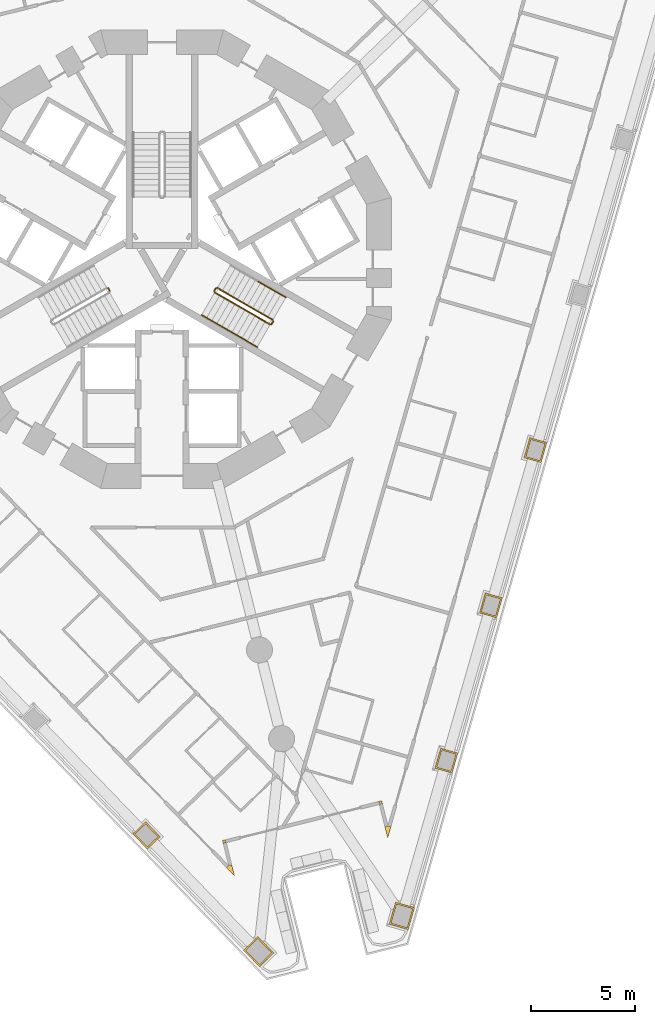
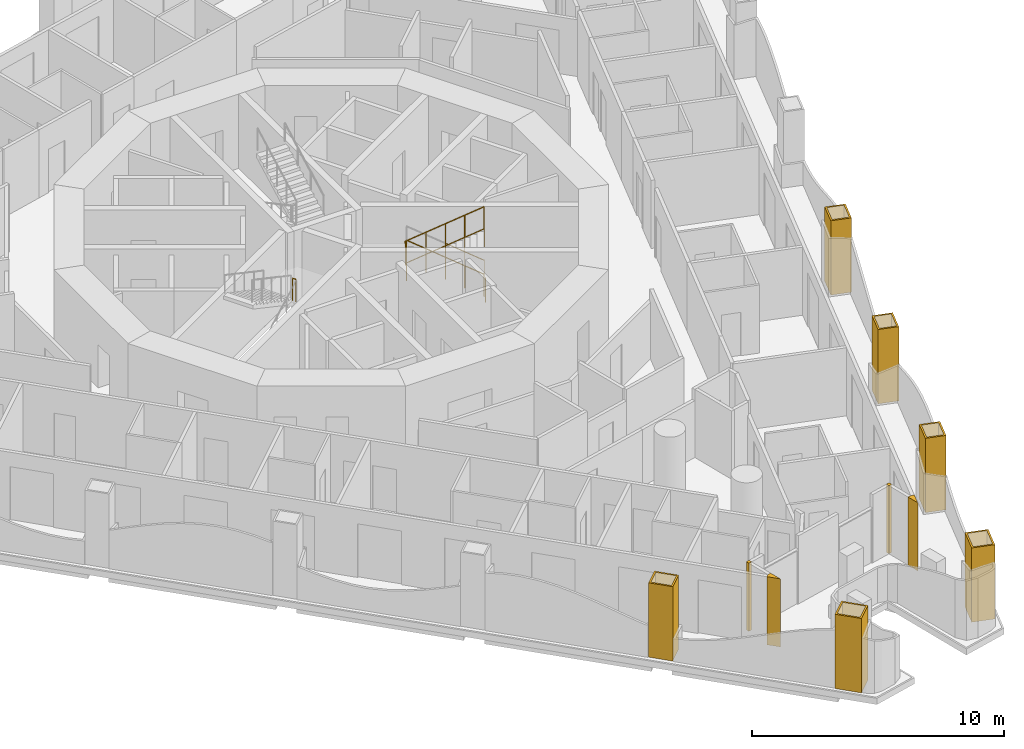
# One storey, part 15 of 20: 10 coverings, 8 railings.
"""IFC4 building model written with IfcOpenShell, lengths in metres."""

import ifcopenshell
import ifcopenshell.guid

model = None  # the IFC model being written
_history = None  # IfcOwnerHistory: only IFC2X3 demands one
_inside = {}  # id of a spatial element -> (the spatial element, [elements in it])
_under = {}  # id of a project, library or spatial element -> (it, [spatial elements below it])
_declared = {}  # id of a project -> (the project, [libraries it declares])
_typed = {}  # id of a type object -> (the type object, [elements of that type])
_made_of = {}  # id of a material, layer set ... -> (it, [elements and type objects made of it])


def new_model(schema):
    """Start an empty IFC model of exactly this schema.

    Asked for "IFC4X3", IfcOpenShell would pick the latest addendum, in which some entities
    have other attributes; the version numbers below select the first issue.
    IFC2X3 requires an IfcOwnerHistory on every rooted entity: one is made here for all.
    """
    global model, _history
    if schema == "IFC4X3":
        model = ifcopenshell.file(schema_version=(4, 3, 0, 0))
    else:
        model = ifcopenshell.file(schema=schema)
    _inside.clear()
    _under.clear()
    _declared.clear()
    _typed.clear()
    _made_of.clear()
    _history = None
    if model.schema == "IFC2X3":
        org = make("IfcOrganization", Name="unknown")
        user = make(
            "IfcPersonAndOrganization",
            ThePerson=make("IfcPerson", FamilyName="unknown"),
            TheOrganization=org,
        )
        app = make(
            "IfcApplication",
            ApplicationDeveloper=org,
            Version="unknown",
            ApplicationFullName="unknown",
            ApplicationIdentifier="unknown",
        )
        _history = make(
            "IfcOwnerHistory",
            OwningUser=user,
            OwningApplication=app,
            ChangeAction="ADDED",
            CreationDate=0,
        )
    return model


def make(cls, **values):
    """One entity of the class cls with the attributes given. An attribute that is None is left unset."""
    return model.create_entity(
        cls, **{name: value for name, value in values.items() if value is not None}
    )


def rooted(cls, **values):
    """An entity with a GlobalId (a new one), such as an element, a storey or a relation."""
    return make(cls, GlobalId=ifcopenshell.guid.new(), OwnerHistory=_history, **values)


def si_unit(unit_type, name, prefix=None):
    """IfcSIUnit, for example si_unit("LENGTHUNIT", "METRE", prefix="MILLI")."""
    return make("IfcSIUnit", UnitType=unit_type, Prefix=prefix, Name=name)


def assignment(units):
    """IfcUnitAssignment: the units of a project."""
    return None if units is None else make("IfcUnitAssignment", Units=units)


def point(xyz):
    """IfcCartesianPoint."""
    return None if xyz is None else make("IfcCartesianPoint", Coordinates=xyz)


def direction(xyz):
    """IfcDirection."""
    return None if xyz is None else make("IfcDirection", DirectionRatios=xyz)


def frame(location, z_axis=None, x_axis=None):
    """IfcAxis2Placement3D, a coordinate frame: its origin and axes. An axis left out is left unset."""
    return make(
        "IfcAxis2Placement3D",
        Location=point(location),
        Axis=direction(z_axis),
        RefDirection=direction(x_axis),
    )


def frame_2d(location, x_axis=None):
    """IfcAxis2Placement2D, a coordinate frame in the plane: its origin and x axis."""
    return make(
        "IfcAxis2Placement2D", Location=point(location), RefDirection=direction(x_axis)
    )


def origin():
    """The frame at (0, 0, 0) with its axes left unset."""
    return frame((0.0, 0.0, 0.0))


def origin_2d():
    """The frame at (0, 0) in the plane with its x axis left unset."""
    return frame_2d((0.0, 0.0))


def place(relative_to, where):
    """IfcLocalPlacement: puts the frame where relative to a parent placement (None: the world)."""
    return make(
        "IfcLocalPlacement", PlacementRelTo=relative_to, RelativePlacement=where
    )


def context(
    kind, dimensions, precision=None, world=None, true_north=None, identifier=None
):
    """IfcGeometricRepresentationContext, for example the 3D "Model" context."""
    return make(
        "IfcGeometricRepresentationContext",
        ContextIdentifier=identifier,
        ContextType=kind,
        CoordinateSpaceDimension=dimensions,
        Precision=precision,
        WorldCoordinateSystem=world,
        TrueNorth=true_north,
    )


def subcontext(parent, identifier, kind, view, scale=None):
    """IfcGeometricRepresentationSubContext, for example "Body" below "Model"."""
    return make(
        "IfcGeometricRepresentationSubContext",
        ContextIdentifier=identifier,
        ContextType=kind,
        ParentContext=parent,
        TargetScale=scale,
        TargetView=view,
    )


def project(units=None, contexts=None):
    """IfcProject with its units and contexts."""
    return rooted(
        "IfcProject",
        Name="project",
        RepresentationContexts=contexts,
        UnitsInContext=assignment(units),
    )


def spatial(cls, under=None, at=None, **own):
    """A site, building, storey or space (cls), placed at a placement, below another one or the project."""
    s = rooted(cls, ObjectPlacement=at, **own)
    if under is not None:
        _under.setdefault(under.id(), (under, []))[1].append(s)
    return s


def polyline(points):
    """IfcPolyline through the points."""
    return make("IfcPolyline", Points=[point(p) for p in points])


def profile(cls, at=None, kind="AREA", **sizes):
    """A parametric profile (cls). Its sizes go by their IFC names, for example OverallWidth=200.0."""
    return make(cls, ProfileType=kind, Position=at, **sizes)


def circle(**sizes):
    """IfcCircleProfileDef."""
    return profile("IfcCircleProfileDef", **sizes)


def outline(outer, holes=None, kind="AREA"):
    """IfcArbitraryClosedProfileDef: a profile drawn as a closed curve; with holes, ...WithVoids."""
    if holes is None:
        return make("IfcArbitraryClosedProfileDef", ProfileType=kind, OuterCurve=outer)
    return make(
        "IfcArbitraryProfileDefWithVoids",
        ProfileType=kind,
        OuterCurve=outer,
        InnerCurves=holes,
    )


def extrude(swept, where, along, depth):
    """IfcExtrudedAreaSolid: the profile swept, set in the frame where, extruded along a direction by depth."""
    return make(
        "IfcExtrudedAreaSolid",
        SweptArea=swept,
        Position=where,
        ExtrudedDirection=direction(along),
        Depth=depth,
    )


def shape(context_of_items, identifier, shape_type, items):
    """IfcShapeRepresentation: the items that make up one representation, for example the "Body"."""
    return make(
        "IfcShapeRepresentation",
        ContextOfItems=context_of_items,
        RepresentationIdentifier=identifier,
        RepresentationType=shape_type,
        Items=items,
    )


def material(Name=None, Category=None):
    """IfcMaterial."""
    return make("IfcMaterial", Name=Name, Category=Category)


def layer(
    of_material, thickness, ventilated=None, Name=None, Category=None, Priority=None
):
    """IfcMaterialLayer: one layer of a wall or slab, of a material (None: an air gap)."""
    return make(
        "IfcMaterialLayer",
        Material=of_material,
        LayerThickness=thickness,
        IsVentilated=ventilated,
        Name=Name,
        Category=Category,
        Priority=Priority,
    )


def layer_set(layers, Name=None):
    """IfcMaterialLayerSet."""
    return make("IfcMaterialLayerSet", MaterialLayers=layers, LayerSetName=Name)


def made_of(thing, what):
    """Note that an element or type object is made of a material, layer set ...; save() writes the relation."""
    if what is not None:
        _made_of.setdefault(what.id(), (what, []))[1].append(thing)
    return thing


def type_object(cls, material=None, **own):
    """A type object (cls), such as IfcWallType, which elements share."""
    return made_of(rooted(cls, **own), material)


def element(
    cls,
    number,
    at=None,
    inside=None,
    cuts=None,
    type_object=None,
    material=None,
    context=None,
    identifier="Body",
    shape_type=None,
    held_by="IfcProductDefinitionShape",
    body=None,
    shapes=None,
    **own,
):
    """One element of the class cls, such as IfcWall. Its Tag is "e" and its number.

    at: its placement. inside: the storey or other place that contains it. cuts: it is an
    opening in that element (IfcRelVoidsElement). A single representation is given by context,
    identifier, shape_type and body (its items); several are given by shapes. held_by: the class
    of the entity that holds the representations. save() writes the other relations.
    """
    e = rooted(cls, Tag="e%d" % number, ObjectPlacement=at, **own)
    if body is not None:
        shapes = [shape(context, identifier, shape_type, body)]
    if shapes is not None:
        e.Representation = make(held_by, Representations=shapes)
    if inside is not None:
        _inside.setdefault(inside.id(), (inside, []))[1].append(e)
    if cuts is not None:
        rooted(
            "IfcRelVoidsElement", RelatingBuildingElement=cuts, RelatedOpeningElement=e
        )
    if type_object is not None:
        _typed.setdefault(type_object.id(), (type_object, []))[1].append(e)
    return made_of(e, material)


def aggregate(whole, parts):
    """IfcRelAggregates: a whole, such as a stair, and the parts it consists of."""
    return rooted("IfcRelAggregates", RelatingObject=whole, RelatedObjects=parts)


def save(model, path):
    """Write the relations noted so far, then the file.

    IfcRelAggregates (storeys below a building ...), IfcRelContainedInSpatialStructure (elements
    in a storey), IfcRelDefinesByType, IfcRelAssociatesMaterial and IfcRelDeclares: one each for
    every whole, place, type object, material and project.
    """
    for whole, parts in _under.values():
        aggregate(whole, parts)
    for where, things in _inside.values():
        rooted(
            "IfcRelContainedInSpatialStructure",
            RelatedElements=things,
            RelatingStructure=where,
        )
    for kind, things in _typed.values():
        rooted("IfcRelDefinesByType", RelatedObjects=things, RelatingType=kind)
    for what, things in _made_of.values():
        rooted("IfcRelAssociatesMaterial", RelatedObjects=things, RelatingMaterial=what)
    for by, libraries in _declared.values():
        rooted("IfcRelDeclares", RelatingContext=by, RelatedDefinitions=libraries)
    model.write(path)


model = new_model("IFC4")

# Units and contexts
model_context = context("Model", 3, precision=1e-05, world=origin(), true_north=direction((0.0, 1.0)))
body_context = subcontext(model_context, "Body", "Model", "MODEL_VIEW")
ifc_project = project(units=[si_unit("LENGTHUNIT", "METRE"), si_unit("AREAUNIT", "SQUARE_METRE"), si_unit("VOLUMEUNIT", "CUBIC_METRE"), si_unit("PLANEANGLEUNIT", "RADIAN"), si_unit("MASSUNIT", "GRAM", prefix="KILO")], contexts=[model_context])

# Site, building, storey
site_placement = place(None, origin())
site = spatial("IfcSite", under=ifc_project, at=site_placement, CompositionType="ELEMENT")
building_placement = place(site_placement, origin())
building = spatial("IfcBuilding", under=site, at=building_placement, Name="Trine Commons Tower", CompositionType="ELEMENT")
storey_placement = place(building_placement, frame((0.0, 0.0, 112.5)))
storey = spatial("IfcBuildingStorey", under=building, at=storey_placement, Name="L28", CompositionType="ELEMENT", Elevation=112.5)

# Coverings
ifc_material_1 = material(Name="Aluminium-framed insulated wall panel", Category="aluminium")
ifc_layer_1 = layer(ifc_material_1, 0.14990234375)
ifc_layer_set_1 = layer_set([ifc_layer_1], Name="Aluminium-framed insulated wall panel")
covering_type_1 = type_object("IfcCoveringType", Name="Glazing corner post, aluminium", PredefinedType="CLADDING", material=ifc_layer_set_1)
covering_1_placement = place(storey_placement, origin())
element("IfcCovering", 1, at=covering_1_placement, inside=storey, type_object=covering_type_1, Name="Glazing corner post 3-09", PredefinedType="CLADDING", context=body_context, shape_type="SweptSolid", body=[
    extrude(outline(polyline([(90.701416015625, 35.24560546875), (90.836669921875, 34.70263671875), (90.990966796875, 35.24072265625), (90.8466796875, 35.281982421875), (90.701416015625, 35.24560546875)])), origin(), (0.0, 0.0, 1.0), 3.300048828125),
])
covering_2_placement = place(storey_placement, origin())
element("IfcCovering", 2, at=covering_2_placement, inside=storey, type_object=covering_type_1, Name="Glazing corner post 3-10", PredefinedType="CLADDING", context=body_context, shape_type="SweptSolid", body=[
    extrude(outline(polyline([(90.40234375, 36.44482421875), (90.438720703125, 36.29931640625), (90.584228515625, 36.33544921875), (90.5478515625, 36.481201171875), (90.40234375, 36.44482421875)])), origin(), (0.0, 0.0, 1.0), 3.300048828125),
])
covering_3_placement = place(storey_placement, origin())
element("IfcCovering", 3, at=covering_3_placement, inside=storey, type_object=covering_type_1, Name="Glazing corner post 3-11", PredefinedType="CLADDING", context=body_context, shape_type="SweptSolid", body=[
    extrude(outline(polyline([(82.938232421875, 34.42919921875), (83.083740234375, 34.465576171875), (83.047607421875, 34.611083984375), (82.90185546875, 34.57470703125), (82.938232421875, 34.42919921875)])), origin(), (0.0, 0.0, 1.0), 3.300048828125),
])
covering_4_placement = place(storey_placement, origin())
element("IfcCovering", 4, at=covering_4_placement, inside=storey, type_object=covering_type_1, Name="Glazing corner post 3-12", PredefinedType="CLADDING", context=body_context, shape_type="SweptSolid", body=[
    extrude(outline(polyline([(83.093017578125, 33.271484375), (83.48193359375, 32.868896484375), (83.346435546875, 33.412109375), (83.200927734375, 33.375732421875), (83.093017578125, 33.271484375)])), origin(), (0.0, 0.0, 1.0), 3.300048828125),
])
ifc_material_2 = material(Name="Limestone, honed", Category="masonry")
ifc_layer_2 = layer(ifc_material_2, 0.074951171875)
ifc_layer_set_2 = layer_set([ifc_layer_2], Name="Limestone, honed")
covering_type_2 = type_object("IfcCoveringType", Name="Limestone column cladding 75", PredefinedType="CLADDING", material=ifc_layer_set_2)
covering_5_placement = place(storey_placement, origin())
element("IfcCovering", 5, at=covering_5_placement, inside=storey, type_object=covering_type_2, Name="Limestone pier cladding 3-01", PredefinedType="CLADDING", context=body_context, shape_type="SweptSolid", body=[
    extrude(outline(polyline([(84.600341796875, 29.961669921875), (83.9169921875, 29.3017578125), (84.68115234375, 28.510498046875), (85.364501953125, 29.17041015625), (84.600341796875, 29.961669921875)]), holes=[polyline([(84.598388671875, 29.85546875), (84.02294921875, 29.2998046875), (84.682861328125, 28.616455078125), (85.25830078125, 29.172119140625), (84.598388671875, 29.85546875)])]), origin(), (0.0, 0.0, 1.0), 3.60009765625),
])
covering_6_placement = place(storey_placement, origin())
element("IfcCovering", 6, at=covering_6_placement, inside=storey, type_object=covering_type_2, Name="Limestone pier cladding 3-02", PredefinedType="CLADDING", context=body_context, shape_type="SweptSolid", body=[
    extrude(outline(polyline([(79.210205078125, 35.47119140625), (78.5986328125, 34.880859375), (79.293212890625, 34.16162109375), (79.90478515625, 34.751953125), (79.210205078125, 35.47119140625)]), holes=[polyline([(79.208251953125, 35.365234375), (78.70458984375, 34.87890625), (79.295166015625, 34.267578125), (79.798583984375, 34.75390625), (79.208251953125, 35.365234375)])]), origin(), (0.0, 0.0, 1.0), 3.60009765625),
])
covering_7_placement = place(storey_placement, origin())
element("IfcCovering", 7, at=covering_7_placement, inside=storey, type_object=covering_type_2, Name="Limestone pier cladding 3-21", PredefinedType="CLADDING", context=body_context, shape_type="SweptSolid", body=[
    extrude(outline(polyline([(98.48046875, 53.685791015625), (97.663330078125, 53.920166015625), (97.3876953125, 52.958984375), (98.20458984375, 52.724609375), (98.48046875, 53.685791015625)]), holes=[polyline([(98.3876953125, 53.634521484375), (97.714599609375, 53.827392578125), (97.48046875, 53.01025390625), (98.1533203125, 52.8173828125), (98.3876953125, 53.634521484375)])]), origin(), (0.0, 0.0, 1.0), 3.60009765625),
])
covering_8_placement = place(storey_placement, origin())
element("IfcCovering", 8, at=covering_8_placement, inside=storey, type_object=covering_type_2, Name="Limestone pier cladding 3-22", PredefinedType="CLADDING", context=body_context, shape_type="SweptSolid", body=[
    extrude(outline(polyline([(96.342041015625, 46.228759765625), (95.52490234375, 46.462890625), (95.249267578125, 45.501708984375), (96.06640625, 45.267333984375), (96.342041015625, 46.228759765625)]), holes=[polyline([(96.249267578125, 46.17724609375), (95.576416015625, 46.3701171875), (95.342041015625, 45.552978515625), (96.014892578125, 45.360107421875), (96.249267578125, 46.17724609375)])]), origin(), (0.0, 0.0, 1.0), 3.60009765625),
])
covering_9_placement = place(storey_placement, origin())
element("IfcCovering", 9, at=covering_9_placement, inside=storey, type_object=covering_type_2, Name="Limestone pier cladding 3-23", PredefinedType="CLADDING", context=body_context, shape_type="SweptSolid", body=[
    extrude(outline(polyline([(94.203857421875, 38.771484375), (93.38671875, 39.005859375), (93.111083984375, 38.044677734375), (93.927978515625, 37.810302734375), (94.203857421875, 38.771484375)]), holes=[polyline([(94.111083984375, 38.72021484375), (93.43798828125, 38.9130859375), (93.203857421875, 38.095947265625), (93.876708984375, 37.903076171875), (94.111083984375, 38.72021484375)])]), origin(), (0.0, 0.0, 1.0), 3.60009765625),
])
covering_10_placement = place(storey_placement, origin())
element("IfcCovering", 10, at=covering_10_placement, inside=storey, type_object=covering_type_2, Name="Limestone pier cladding 3-24", PredefinedType="CLADDING", context=body_context, shape_type="SweptSolid", body=[
    extrude(outline(polyline([(92.127197265625, 31.348876953125), (91.214111328125, 31.610595703125), (90.910888671875, 30.55322265625), (91.82421875, 30.29150390625), (92.127197265625, 31.348876953125)]), holes=[polyline([(92.034423828125, 31.29736328125), (91.265380859375, 31.517822265625), (91.003662109375, 30.604736328125), (91.772705078125, 30.384033203125), (92.034423828125, 31.29736328125)])]), origin(), (0.0, 0.0, 1.0), 3.60009765625),
])

# Railings
ifc_material_3 = material(Name="Stainless steel balustrade", Category="steel")
railing_type_1 = type_object("IfcRailingType", Name="Stair guard, steel balustrade 1100", PredefinedType="GUARDRAIL", material=ifc_material_3)
railing_1_placement = place(storey_placement, frame((77.490966796875, 60.96484375, 1.800048828125)))
element("IfcRailing", 11, at=railing_1_placement, inside=storey, type_object=railing_type_1, Name="L28 ST2A stair guard 2", PredefinedType="GUARDRAIL", context=body_context, shape_type="SweptSolid", body=[
    extrude(circle(Radius=0.02392578125, at=origin_2d()), frame((0.0, 0.0, 1.076171875), z_axis=(-0.501036270542, 0.865426285481, 0.0), x_axis=(-0.865426285481, -0.501036270542, 0.0)), (0.0, 0.0, 1.0), 0.150146484375),
    extrude(circle(Radius=0.02099609375, at=origin_2d()), origin(), (0.0, 0.0, 1.0), 1.052001953125),
    extrude(circle(Radius=0.02099609375, at=origin_2d()), frame((-0.0751953125, 0.1298828125, 0.0)), (0.0, 0.0, 1.0), 1.052001953125),
])
railing_2_placement = place(storey_placement, frame((85.31982421875, 59.572998046875, 0.14990234375)))
element("IfcRailing", 12, at=railing_2_placement, inside=storey, type_object=railing_type_1, Name="L28 ST3A stair guard 1", PredefinedType="GUARDRAIL", context=body_context, shape_type="SweptSolid", body=[
    extrude(circle(Radius=0.02392578125, at=origin_2d()), frame((0.0, 0.0, 1.076171875), z_axis=(-0.763379768245, 0.440728498818, 0.472239049384), x_axis=(-0.499992328818, -0.866029832698, 0.0)), (0.0, 0.0, 1.0), 3.494384765625),
    extrude(circle(Radius=0.02099609375, at=origin_2d()), origin(), (0.0, 0.0, 1.0), 1.052001953125),
    extrude(circle(Radius=0.02099609375, at=origin_2d()), frame((-0.6669921875, 0.385009765625, 0.41259765625)), (0.0, 0.0, 1.0), 1.052001953125),
    extrude(circle(Radius=0.02099609375, at=origin_2d()), frame((-1.333740234375, 0.77001953125, 0.8251953125)), (0.0, 0.0, 1.0), 1.052001953125),
    extrude(circle(Radius=0.02099609375, at=origin_2d()), frame((-2.00048828125, 1.155029296875, 1.237548828125)), (0.0, 0.0, 1.0), 1.052001953125),
    extrude(circle(Radius=0.02099609375, at=origin_2d()), frame((-2.66748046875, 1.5400390625, 1.650146484375)), (0.0, 0.0, 1.0), 1.052001953125),
])
railing_3_placement = place(storey_placement, frame((82.584228515625, 61.0947265625, 1.800048828125)))
element("IfcRailing", 13, at=railing_3_placement, inside=storey, type_object=railing_type_1, Name="L28 ST3A stair guard 2", PredefinedType="GUARDRAIL", context=body_context, shape_type="SweptSolid", body=[
    extrude(circle(Radius=0.02392578125, at=origin_2d()), frame((0.0, 0.0, 1.076171875), z_axis=(-0.501036270542, -0.865426285481, 0.0), x_axis=(0.865426285481, -0.501036270542, 0.0)), (0.0, 0.0, 1.0), 0.150146484375),
    extrude(circle(Radius=0.02099609375, at=origin_2d()), origin(), (0.0, 0.0, 1.0), 1.052001953125),
    extrude(circle(Radius=0.02099609375, at=origin_2d()), frame((-0.0751953125, -0.1298828125, 0.0)), (0.0, 0.0, 1.0), 1.052001953125),
])
railing_4_placement = place(storey_placement, frame((82.52734375, 60.896484375, 1.949951171875)))
element("IfcRailing", 14, at=railing_4_placement, inside=storey, type_object=railing_type_1, Name="L28 ST3A stair guard 3", PredefinedType="GUARDRAIL", context=body_context, shape_type="SweptSolid", body=[
    extrude(circle(Radius=0.02392578125, at=origin_2d()), frame((0.0, 0.0, 1.076171875), z_axis=(0.763379768245, -0.440728498818, 0.472239049384), x_axis=(0.499992328818, 0.866029832698, 0.0)), (0.0, 0.0, 1.0), 3.494384765625),
    extrude(circle(Radius=0.02099609375, at=origin_2d()), origin(), (0.0, 0.0, 1.0), 1.052001953125),
    extrude(circle(Radius=0.02099609375, at=origin_2d()), frame((0.6669921875, -0.385009765625, 0.41259765625)), (0.0, 0.0, 1.0), 1.052001953125),
    extrude(circle(Radius=0.02099609375, at=origin_2d()), frame((1.333740234375, -0.77001953125, 0.8251953125)), (0.0, 0.0, 1.0), 1.052001953125),
    extrude(circle(Radius=0.02099609375, at=origin_2d()), frame((2.00048828125, -1.155029296875, 1.237548828125)), (0.0, 0.0, 1.0), 1.052001953125),
    extrude(circle(Radius=0.02099609375, at=origin_2d()), frame((2.66748046875, -1.5400390625, 1.650146484375)), (0.0, 0.0, 1.0), 1.052001953125),
])
railing_5_placement = place(storey_placement, frame((85.338134765625, 59.504638671875, 0.0)))
element("IfcRailing", 15, at=railing_5_placement, inside=storey, type_object=railing_type_1, Name="L28 ST3A stair guard 4", PredefinedType="GUARDRAIL", context=body_context, shape_type="SweptSolid", body=[
    extrude(circle(Radius=0.02392578125, at=origin_2d()), frame((0.0, 0.0, 1.076171875), z_axis=(-0.499816412211, -0.866131372301, 0.0), x_axis=(0.866131372301, -0.499816412211, 0.0)), (0.0, 0.0, 1.0), 0.14990234375),
    extrude(circle(Radius=0.02099609375, at=origin_2d()), origin(), (0.0, 0.0, 1.0), 1.052001953125),
    extrude(circle(Radius=0.02099609375, at=origin_2d()), frame((-0.074951171875, -0.1298828125, 0.0)), (0.0, 0.0, 1.0), 1.052001953125),
])
ifc_material_4 = material(Name="Stainless steel handrail", Category="steel")
railing_type_2 = type_object("IfcRailingType", Name="Stair handrail, steel 900", PredefinedType="HANDRAIL", material=ifc_material_4)
railing_6_placement = place(storey_placement, frame((85.94482421875, 60.655517578125, 0.14990234375)))
element("IfcRailing", 16, at=railing_6_placement, inside=storey, type_object=railing_type_2, Name="L28 ST3A stair handrail 1", PredefinedType="HANDRAIL", context=body_context, shape_type="SweptSolid", body=[
    extrude(circle(Radius=0.02099609375, at=origin_2d()), frame((0.0, 0.0, 0.87890625), z_axis=(-0.763354580307, 0.440713956853, 0.472293333596), x_axis=(-0.499992328818, -0.866029832698, 0.0)), (0.0, 0.0, 1.0), 1.747314453125),
    extrude(circle(Radius=0.01513671875, at=origin_2d()), origin(), (0.0, 0.0, 1.0), 0.85791015625),
    extrude(circle(Radius=0.01513671875, at=origin_2d()), frame((-0.6669921875, 0.385009765625, 0.41259765625)), (0.0, 0.0, 1.0), 0.85791015625),
    extrude(circle(Radius=0.01513671875, at=origin_2d()), frame((-1.333740234375, 0.77001953125, 0.8251953125)), (0.0, 0.0, 1.0), 0.85791015625),
])
railing_7_placement = place(storey_placement, frame((81.90234375, 59.81396484375, 1.949951171875)))
element("IfcRailing", 17, at=railing_7_placement, inside=storey, type_object=railing_type_2, Name="L28 ST3A stair handrail 3", PredefinedType="HANDRAIL", context=body_context, shape_type="SweptSolid", body=[
    extrude(circle(Radius=0.02099609375, at=origin_2d()), frame((0.0, 0.0, 0.87890625), z_axis=(0.76340495495, -0.440743040072, 0.472184759798), x_axis=(0.499992328818, 0.866029832698, 0.0)), (0.0, 0.0, 1.0), 1.7470703125),
    extrude(circle(Radius=0.01513671875, at=origin_2d()), origin(), (0.0, 0.0, 1.0), 0.85791015625),
    extrude(circle(Radius=0.01513671875, at=origin_2d()), frame((0.6669921875, -0.385009765625, 0.41259765625)), (0.0, 0.0, 1.0), 0.85791015625),
    extrude(circle(Radius=0.01513671875, at=origin_2d()), frame((1.333740234375, -0.77001953125, 0.824951171875)), (0.0, 0.0, 1.0), 0.85791015625),
])
railing_8_placement = place(storey_placement, frame((83.236083984375, 59.0439453125, 2.77490234375)))
element("IfcRailing", 18, at=railing_8_placement, inside=storey, type_object=railing_type_2, Name="L28 ST3A stair handrail 4", PredefinedType="HANDRAIL", context=body_context, shape_type="SweptSolid", body=[
    extrude(circle(Radius=0.02099609375, at=origin_2d()), frame((0.0, 0.0, 0.87890625), z_axis=(0.763354580307, -0.440713956853, 0.472293333596), x_axis=(0.499992328818, 0.866029832698, 0.0)), (0.0, 0.0, 1.0), 1.747314453125),
    extrude(circle(Radius=0.01513671875, at=origin_2d()), origin(), (0.0, 0.0, 1.0), 0.85791015625),
    extrude(circle(Radius=0.01513671875, at=origin_2d()), frame((0.6669921875, -0.385009765625, 0.41259765625)), (0.0, 0.0, 1.0), 0.85791015625),
    extrude(circle(Radius=0.01513671875, at=origin_2d()), frame((1.333740234375, -0.77001953125, 0.8251953125)), (0.0, 0.0, 1.0), 0.85791015625),
])

save(model, "model.ifc")
